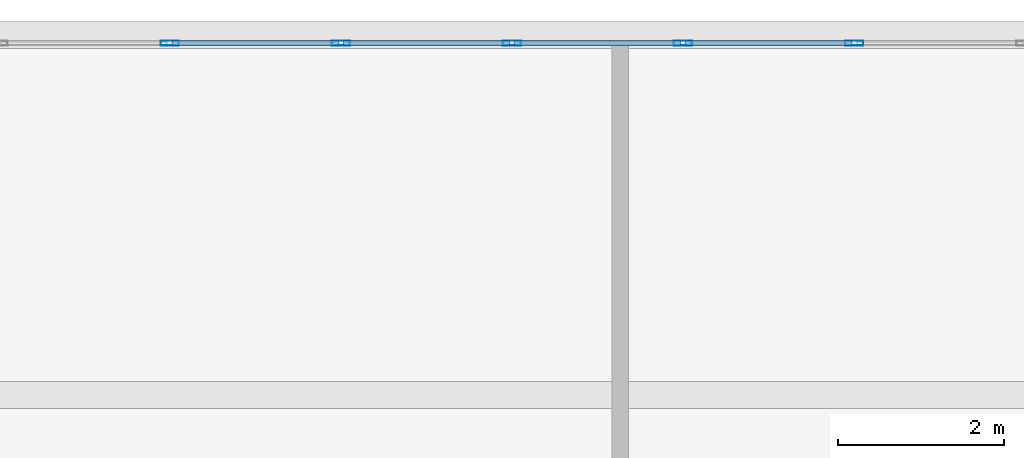
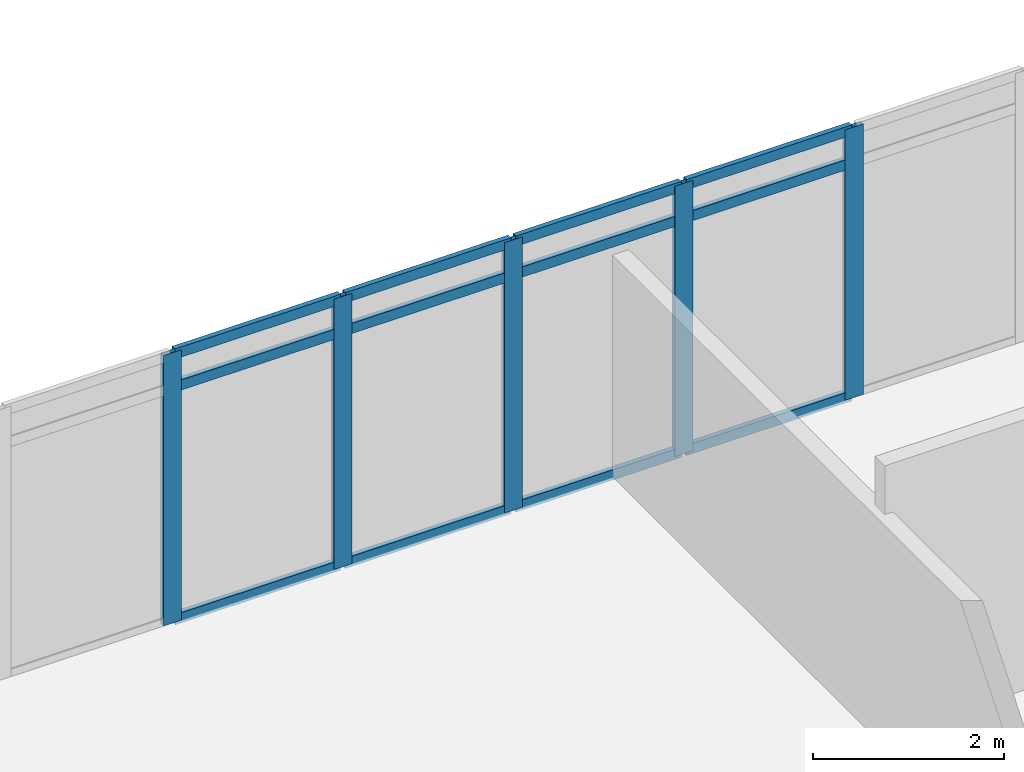
# One storey, part 17 of 28: 17 members, 1 element without a shape of its own.
"""IFC4 building model written with IfcOpenShell, lengths in metres."""

from ifc_helpers import new_model, si_unit, direction, frame, origin, origin_2d, place, context, subcontext, project, spatial, hollow_rectangle, extrude, material, material_profile, profile_set, type_object, element, aggregate, save


model = new_model("IFC4")

# Units and contexts
model_context = context("Model", 3, precision=1e-05, world=origin(), true_north=direction((0.0, 1.0)))
body_context = subcontext(model_context, "Body", "Model", "MODEL_VIEW")
ifc_project = project(units=[si_unit("LENGTHUNIT", "METRE"), si_unit("AREAUNIT", "SQUARE_METRE"), si_unit("VOLUMEUNIT", "CUBIC_METRE"), si_unit("PLANEANGLEUNIT", "RADIAN"), si_unit("MASSUNIT", "GRAM", prefix="KILO")], contexts=[model_context])

# Site, building, storey
site_placement = place(None, origin())
site = spatial("IfcSite", under=ifc_project, at=site_placement, CompositionType="ELEMENT")
building_placement = place(site_placement, origin())
building = spatial("IfcBuilding", under=site, at=building_placement, Name="Ostrander Bayou Hotel Tower", CompositionType="ELEMENT")
storey_placement = place(building_placement, frame((0.0, 0.0, 134.75)))
storey = spatial("IfcBuildingStorey", under=building, at=storey_placement, Name="L33", CompositionType="ELEMENT", Elevation=134.75)

# Curtain wall, members
ifc_material_1 = material(Name="Aluminium and clear glass", Category="aluminium")
curtain_wall_type = type_object("IfcCurtainWallType", Name="CW-BAR glazed wall", PredefinedType="NOTDEFINED", material=ifc_material_1)
curtain_wall_placement = place(storey_placement, origin())
curtain_wall = element("IfcCurtainWall", 1, at=curtain_wall_placement, inside=storey, type_object=curtain_wall_type, Name="CW-BAR L33:SB3N:T", PredefinedType="NOTDEFINED")
ifc_material_2 = material(Name="Aluminium", Category="aluminium")
ifc_material_profile_1 = material_profile(ifc_material_2, hollow_rectangle(XDim=0.06005859375, YDim=0.219970703125, WallThickness=0.00390625, at=origin_2d()))
ifc_profile_set_1 = profile_set([ifc_material_profile_1], Name="Aluminium")
member_type_1 = type_object("IfcMemberType", Name="CW-BR mullion 60 x 220 mm", PredefinedType="MULLION", material=ifc_profile_set_1)
member_1_placement = place(storey_placement, frame((1.0283203125, 29.037109375, 0.0), z_axis=(0.0, 0.0, 1.0), x_axis=(0.0, 1.0, 0.0)))
member_1 = element("IfcMember", 2, at=member_1_placement, type_object=member_type_1, Name="CW-BAR mullion 8", PredefinedType="MULLION", context=body_context, shape_type="SweptSolid", body=[
    extrude(hollow_rectangle(XDim=0.06005859375, YDim=0.219970703125, WallThickness=0.00390625, at=origin_2d()), origin(), (0.0, 0.0, 1.0), 3.449951171875),
])
member_2_placement = place(storey_placement, frame((3.084716796875, 29.037109375, 0.0), z_axis=(0.0, 0.0, 1.0), x_axis=(0.0, 1.0, 0.0)))
member_2 = element("IfcMember", 3, at=member_2_placement, type_object=member_type_1, Name="CW-BAR mullion 9", PredefinedType="MULLION", context=body_context, shape_type="SweptSolid", body=[
    extrude(hollow_rectangle(XDim=0.06005859375, YDim=0.219970703125, WallThickness=0.00390625, at=origin_2d()), origin(), (0.0, 0.0, 1.0), 3.449951171875),
])
member_3_placement = place(storey_placement, frame((5.14111328125, 29.037109375, 0.0), z_axis=(0.0, 0.0, 1.0), x_axis=(0.0, 1.0, 0.0)))
member_3 = element("IfcMember", 4, at=member_3_placement, type_object=member_type_1, Name="CW-BAR mullion 10", PredefinedType="MULLION", context=body_context, shape_type="SweptSolid", body=[
    extrude(hollow_rectangle(XDim=0.06005859375, YDim=0.219970703125, WallThickness=0.00390625, at=origin_2d()), origin(), (0.0, 0.0, 1.0), 3.449951171875),
])
member_4_placement = place(storey_placement, frame((7.19775390625, 29.037109375, 0.0), z_axis=(0.0, 0.0, 1.0), x_axis=(0.0, 1.0, 0.0)))
member_4 = element("IfcMember", 5, at=member_4_placement, type_object=member_type_1, Name="CW-BAR mullion 11", PredefinedType="MULLION", context=body_context, shape_type="SweptSolid", body=[
    extrude(hollow_rectangle(XDim=0.06005859375, YDim=0.219970703125, WallThickness=0.00390625, at=origin_2d()), origin(), (0.0, 0.0, 1.0), 3.449951171875),
])
member_5_placement = place(storey_placement, frame((9.254150390625, 29.037109375, 0.0), z_axis=(0.0, 0.0, 1.0), x_axis=(0.0, 1.0, 0.0)))
member_5 = element("IfcMember", 6, at=member_5_placement, type_object=member_type_1, Name="CW-BAR mullion 12", PredefinedType="MULLION", context=body_context, shape_type="SweptSolid", body=[
    extrude(hollow_rectangle(XDim=0.06005859375, YDim=0.219970703125, WallThickness=0.00390625, at=origin_2d()), origin(), (0.0, 0.0, 1.0), 3.449951171875),
])
ifc_material_3 = material(Name="Aluminium", Category="aluminium")
ifc_material_profile_2 = material_profile(ifc_material_3, hollow_rectangle(XDim=0.06005859375, YDim=0.1298828125, WallThickness=0.00390625, at=origin_2d()))
ifc_profile_set_2 = profile_set([ifc_material_profile_2], Name="Aluminium")
member_type_2 = type_object("IfcMemberType", Name="CW-BR transom 60 x 130 mm", PredefinedType="USERDEFINED", material=ifc_profile_set_2)
member_6_placement = place(storey_placement, frame((1.058349609375, 29.037109375, 0.030029296875), z_axis=(1.0, 0.0, 0.0), x_axis=(0.0, 1.0, 0.0)))
member_6 = element("IfcMember", 7, at=member_6_placement, type_object=member_type_2, Name="CW-BAR transom 8.1", ObjectType="TRANSOM", PredefinedType="USERDEFINED", context=body_context, shape_type="SweptSolid", body=[
    extrude(hollow_rectangle(XDim=0.06005859375, YDim=0.1298828125, WallThickness=0.00390625, at=origin_2d()), origin(), (0.0, 0.0, 1.0), 1.996337890625),
])
member_7_placement = place(storey_placement, frame((1.058349609375, 29.037109375, 3.0), z_axis=(1.0, 0.0, 0.0), x_axis=(0.0, 1.0, 0.0)))
member_7 = element("IfcMember", 8, at=member_7_placement, type_object=member_type_2, Name="CW-BAR transom 8.2", ObjectType="TRANSOM", PredefinedType="USERDEFINED", context=body_context, shape_type="SweptSolid", body=[
    extrude(hollow_rectangle(XDim=0.06005859375, YDim=0.1298828125, WallThickness=0.00390625, at=origin_2d()), origin(), (0.0, 0.0, 1.0), 1.996337890625),
])
member_8_placement = place(storey_placement, frame((1.058349609375, 29.037109375, 3.419921875), z_axis=(1.0, 0.0, 0.0), x_axis=(0.0, 1.0, 0.0)))
member_8 = element("IfcMember", 9, at=member_8_placement, type_object=member_type_2, Name="CW-BAR transom 8.3", ObjectType="TRANSOM", PredefinedType="USERDEFINED", context=body_context, shape_type="SweptSolid", body=[
    extrude(hollow_rectangle(XDim=0.06005859375, YDim=0.1298828125, WallThickness=0.00390625, at=origin_2d()), origin(), (0.0, 0.0, 1.0), 1.996337890625),
])
member_9_placement = place(storey_placement, frame((3.11474609375, 29.037109375, 0.030029296875), z_axis=(1.0, 0.0, 0.0), x_axis=(0.0, 1.0, 0.0)))
member_9 = element("IfcMember", 10, at=member_9_placement, type_object=member_type_2, Name="CW-BAR transom 9.1", ObjectType="TRANSOM", PredefinedType="USERDEFINED", context=body_context, shape_type="SweptSolid", body=[
    extrude(hollow_rectangle(XDim=0.06005859375, YDim=0.1298828125, WallThickness=0.00390625, at=origin_2d()), origin(), (0.0, 0.0, 1.0), 1.99658203125),
])
member_10_placement = place(storey_placement, frame((3.11474609375, 29.037109375, 3.0), z_axis=(1.0, 0.0, 0.0), x_axis=(0.0, 1.0, 0.0)))
member_10 = element("IfcMember", 11, at=member_10_placement, type_object=member_type_2, Name="CW-BAR transom 9.2", ObjectType="TRANSOM", PredefinedType="USERDEFINED", context=body_context, shape_type="SweptSolid", body=[
    extrude(hollow_rectangle(XDim=0.06005859375, YDim=0.1298828125, WallThickness=0.00390625, at=origin_2d()), origin(), (0.0, 0.0, 1.0), 1.99658203125),
])
member_11_placement = place(storey_placement, frame((3.11474609375, 29.037109375, 3.419921875), z_axis=(1.0, 0.0, 0.0), x_axis=(0.0, 1.0, 0.0)))
member_11 = element("IfcMember", 12, at=member_11_placement, type_object=member_type_2, Name="CW-BAR transom 9.3", ObjectType="TRANSOM", PredefinedType="USERDEFINED", context=body_context, shape_type="SweptSolid", body=[
    extrude(hollow_rectangle(XDim=0.06005859375, YDim=0.1298828125, WallThickness=0.00390625, at=origin_2d()), origin(), (0.0, 0.0, 1.0), 1.99658203125),
])
member_12_placement = place(storey_placement, frame((5.171142578125, 29.037109375, 0.030029296875), z_axis=(1.0, 0.0, 0.0), x_axis=(0.0, 1.0, 0.0)))
member_12 = element("IfcMember", 13, at=member_12_placement, type_object=member_type_2, Name="CW-BAR transom 10.1", ObjectType="TRANSOM", PredefinedType="USERDEFINED", context=body_context, shape_type="SweptSolid", body=[
    extrude(hollow_rectangle(XDim=0.06005859375, YDim=0.1298828125, WallThickness=0.00390625, at=origin_2d()), origin(), (0.0, 0.0, 1.0), 1.99658203125),
])
member_13_placement = place(storey_placement, frame((5.171142578125, 29.037109375, 3.0), z_axis=(1.0, 0.0, 0.0), x_axis=(0.0, 1.0, 0.0)))
member_13 = element("IfcMember", 14, at=member_13_placement, type_object=member_type_2, Name="CW-BAR transom 10.2", ObjectType="TRANSOM", PredefinedType="USERDEFINED", context=body_context, shape_type="SweptSolid", body=[
    extrude(hollow_rectangle(XDim=0.06005859375, YDim=0.1298828125, WallThickness=0.00390625, at=origin_2d()), origin(), (0.0, 0.0, 1.0), 1.99658203125),
])
member_14_placement = place(storey_placement, frame((5.171142578125, 29.037109375, 3.419921875), z_axis=(1.0, 0.0, 0.0), x_axis=(0.0, 1.0, 0.0)))
member_14 = element("IfcMember", 15, at=member_14_placement, type_object=member_type_2, Name="CW-BAR transom 10.3", ObjectType="TRANSOM", PredefinedType="USERDEFINED", context=body_context, shape_type="SweptSolid", body=[
    extrude(hollow_rectangle(XDim=0.06005859375, YDim=0.1298828125, WallThickness=0.00390625, at=origin_2d()), origin(), (0.0, 0.0, 1.0), 1.99658203125),
])
member_15_placement = place(storey_placement, frame((7.227783203125, 29.037109375, 0.030029296875), z_axis=(1.0, 0.0, 0.0), x_axis=(0.0, 1.0, 0.0)))
member_15 = element("IfcMember", 16, at=member_15_placement, type_object=member_type_2, Name="CW-BAR transom 11.1", ObjectType="TRANSOM", PredefinedType="USERDEFINED", context=body_context, shape_type="SweptSolid", body=[
    extrude(hollow_rectangle(XDim=0.06005859375, YDim=0.1298828125, WallThickness=0.00390625, at=origin_2d()), origin(), (0.0, 0.0, 1.0), 1.996337890625),
])
member_16_placement = place(storey_placement, frame((7.227783203125, 29.037109375, 3.0), z_axis=(1.0, 0.0, 0.0), x_axis=(0.0, 1.0, 0.0)))
member_16 = element("IfcMember", 17, at=member_16_placement, type_object=member_type_2, Name="CW-BAR transom 11.2", ObjectType="TRANSOM", PredefinedType="USERDEFINED", context=body_context, shape_type="SweptSolid", body=[
    extrude(hollow_rectangle(XDim=0.06005859375, YDim=0.1298828125, WallThickness=0.00390625, at=origin_2d()), origin(), (0.0, 0.0, 1.0), 1.996337890625),
])
member_17_placement = place(storey_placement, frame((7.227783203125, 29.037109375, 3.419921875), z_axis=(1.0, 0.0, 0.0), x_axis=(0.0, 1.0, 0.0)))
member_17 = element("IfcMember", 18, at=member_17_placement, type_object=member_type_2, Name="CW-BAR transom 11.3", ObjectType="TRANSOM", PredefinedType="USERDEFINED", context=body_context, shape_type="SweptSolid", body=[
    extrude(hollow_rectangle(XDim=0.06005859375, YDim=0.1298828125, WallThickness=0.00390625, at=origin_2d()), origin(), (0.0, 0.0, 1.0), 1.996337890625),
])
aggregate(curtain_wall, [member_1, member_2, member_3, member_4, member_5, member_6, member_7, member_8, member_9, member_10, member_11, member_12, member_13, member_14, member_15, member_16, member_17])

save(model, "model.ifc")
